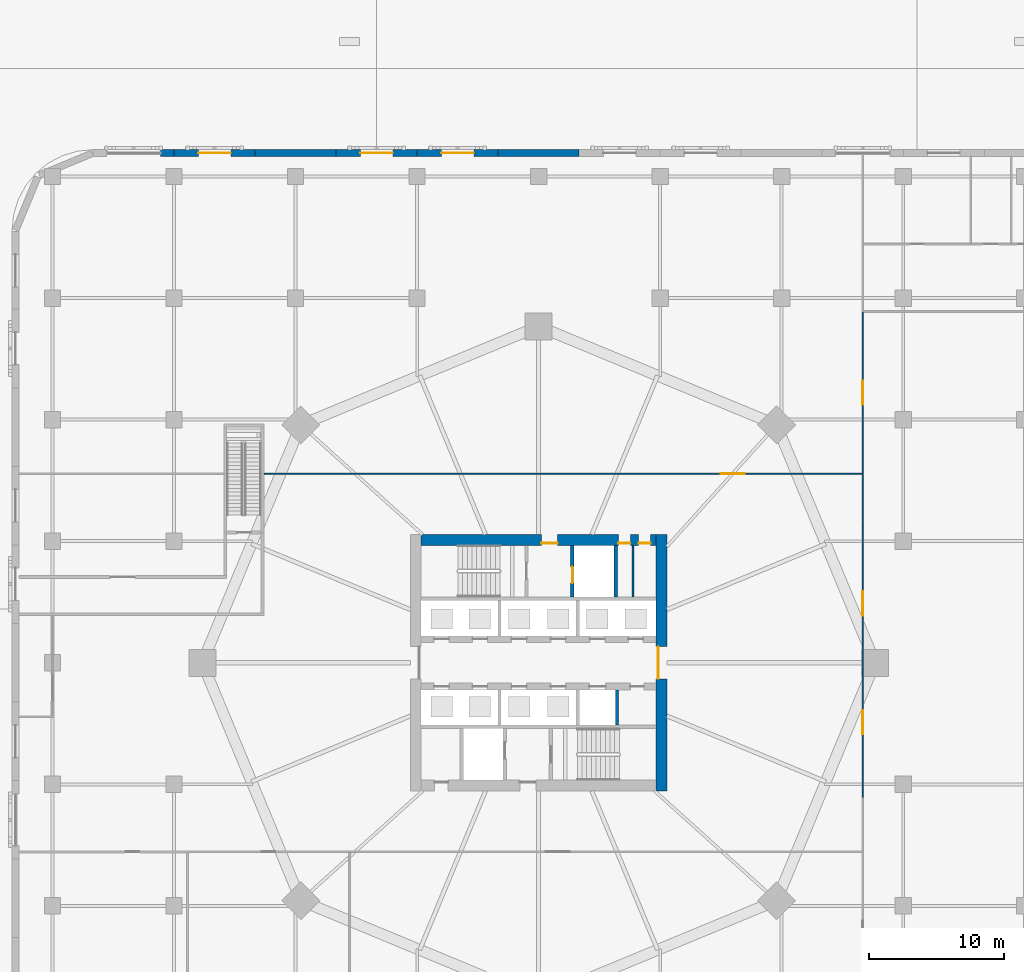
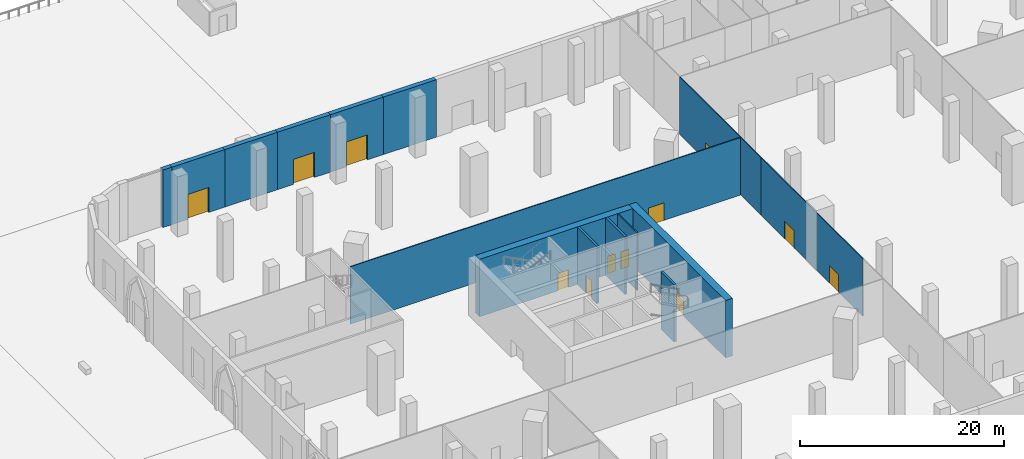
# One storey, part 25 of 48: 16 walls, 12 doors, 12 openings.
"""IFC4 building model written with IfcOpenShell, lengths in metres."""

from ifc_helpers import new_model, si_unit, direction, frame, frame_2d, origin, place, context, subcontext, project, spatial, rectangle, extrude, material, layer, layer_set, type_object, element, fill, save


model = new_model("IFC4")

# Units and contexts
model_context = context("Model", 3, precision=1e-05, world=origin(), true_north=direction((0.0, 1.0)))
body_context = subcontext(model_context, "Body", "Model", "MODEL_VIEW")
ifc_project = project(units=[si_unit("LENGTHUNIT", "METRE"), si_unit("AREAUNIT", "SQUARE_METRE"), si_unit("VOLUMEUNIT", "CUBIC_METRE"), si_unit("PLANEANGLEUNIT", "RADIAN"), si_unit("MASSUNIT", "GRAM", prefix="KILO")], contexts=[model_context])

# Site, building, storey
site_placement = place(None, origin())
site = spatial("IfcSite", under=ifc_project, at=site_placement, CompositionType="ELEMENT")
building_placement = place(site_placement, origin())
building = spatial("IfcBuilding", under=site, at=building_placement, Name="Ogive Gate Towers", CompositionType="ELEMENT")
storey_placement = place(building_placement, origin())
storey = spatial("IfcBuildingStorey", under=building, at=storey_placement, Name="L00", CompositionType="ELEMENT", Elevation=0.0)

# Wall
ifc_material_1 = material(Name="Precast concrete C40/50", Category="concrete")
ifc_layer_1 = layer(ifc_material_1, 0.5)
ifc_layer_set_1 = layer_set([ifc_layer_1], Name="Arcade wall 500")
wall_type_1 = type_object("IfcWallType", Name="Arcade wall 500", PredefinedType="SOLIDWALL", material=ifc_layer_set_1)
wall_1_placement = place(storey_placement, frame((-33.0, 37.75, 0.0), z_axis=(0.0, 0.0, 1.0), x_axis=(-1.0, 0.0, 0.0)))
element("IfcWall", 1, at=wall_1_placement, inside=storey, type_object=wall_type_1, Name="Podium wall", PredefinedType="SOLIDWALL", context=body_context, shape_type="SweptSolid", body=[
    extrude(rectangle(XDim=6.0, YDim=0.5, at=frame_2d((3.0, 0.0))), origin(), (0.0, 0.0, 1.0), 6.89990234375),
])

# Wall, opening, door
wall_2_placement = place(storey_placement, frame((-39.0, 37.75, 0.0), z_axis=(0.0, 0.0, 1.0), x_axis=(-1.0, 0.0, 0.0)))
wall_2 = element("IfcWall", 2, at=wall_2_placement, inside=storey, type_object=wall_type_1, Name="Podium wall", PredefinedType="SOLIDWALL", context=body_context, shape_type="SweptSolid", body=[
    extrude(rectangle(XDim=6.0, YDim=0.5, at=frame_2d((3.0, 0.0))), origin(), (0.0, 0.0, 1.0), 6.89990234375),
])
opening_1_placement = place(wall_2_placement, frame((1.800048828125, 0.0, 0.0)))
opening_1 = element("IfcOpeningElement", 3, at=opening_1_placement, cuts=wall_2, Name="Opening ED2-L00-09", PredefinedType="OPENING", context=body_context, shape_type="SweptSolid", body=[
    extrude(rectangle(XDim=2.39990234375, YDim=3.0, at=frame_2d((1.199951171875, 1.5))), frame((0.0, 0.260009765625, 0.0), z_axis=(0.0, -1.0, 0.0), x_axis=(1.0, 0.0, 0.0)), (0.0, 0.0, 1.0), 0.52001953125),
])
ifc_material_2 = material(Name="Pale metal aluminium", Category="aluminium")
door_type_1 = type_object("IfcDoorType", Name="Entrance door 2400 x 3000", OperationType="DOUBLE_DOOR_SINGLE_SWING", PredefinedType="DOOR", material=ifc_material_2)
door_1_placement = place(opening_1_placement, origin())
door_1 = element("IfcDoor", 4, at=door_1_placement, inside=storey, type_object=door_type_1, Name="Exterior door", OperationType="SINGLE_SWING_LEFT", OverallHeight=3.0, OverallWidth=2.39990234375, PredefinedType="DOOR", context=body_context, shape_type="SweptSolid", body=[
    extrude(rectangle(XDim=2.39990234375, YDim=3.0, at=frame_2d((1.199951171875, 1.5))), frame((0.0, 0.02490234375, 0.0), z_axis=(0.0, -1.0, 0.0), x_axis=(1.0, 0.0, 0.0)), (0.0, 0.0, 1.0), 0.050048828125),
])
fill(opening_1, door_1)

wall_3_placement = place(storey_placement, frame((-45.0, 37.75, 0.0), z_axis=(0.0, 0.0, 1.0), x_axis=(-1.0, 0.0, 0.0)))
wall_3 = element("IfcWall", 5, at=wall_3_placement, inside=storey, type_object=wall_type_1, Name="Podium wall", PredefinedType="SOLIDWALL", context=body_context, shape_type="SweptSolid", body=[
    extrude(rectangle(XDim=6.0, YDim=0.5, at=frame_2d((3.0, 0.0))), origin(), (0.0, 0.0, 1.0), 6.89990234375),
])
opening_2_placement = place(wall_3_placement, frame((1.800048828125, 0.0, 0.0)))
opening_2 = element("IfcOpeningElement", 6, at=opening_2_placement, cuts=wall_3, Name="Opening ED2-L00-10", PredefinedType="OPENING", context=body_context, shape_type="SweptSolid", body=[
    extrude(rectangle(XDim=2.39990234375, YDim=3.0, at=frame_2d((1.199951171875, 1.5))), frame((0.0, 0.260009765625, 0.0), z_axis=(0.0, -1.0, 0.0), x_axis=(1.0, 0.0, 0.0)), (0.0, 0.0, 1.0), 0.52001953125),
])
door_2_placement = place(opening_2_placement, origin())
door_2 = element("IfcDoor", 7, at=door_2_placement, inside=storey, type_object=door_type_1, Name="Exterior door", OperationType="SINGLE_SWING_LEFT", OverallHeight=3.0, OverallWidth=2.39990234375, PredefinedType="DOOR", context=body_context, shape_type="SweptSolid", body=[
    extrude(rectangle(XDim=2.39990234375, YDim=3.0, at=frame_2d((1.199951171875, 1.5))), frame((0.0, 0.02490234375, 0.0), z_axis=(0.0, -1.0, 0.0), x_axis=(1.0, 0.0, 0.0)), (0.0, 0.0, 1.0), 0.050048828125),
])
fill(opening_2, door_2)

# Wall
wall_4_placement = place(storey_placement, frame((-51.0, 37.75, 0.0), z_axis=(0.0, 0.0, 1.0), x_axis=(-1.0, 0.0, 0.0)))
element("IfcWall", 8, at=wall_4_placement, inside=storey, type_object=wall_type_1, Name="Podium wall", PredefinedType="SOLIDWALL", context=body_context, shape_type="SweptSolid", body=[
    extrude(rectangle(XDim=6.0, YDim=0.5, at=frame_2d((3.0, 0.0))), origin(), (0.0, 0.0, 1.0), 6.89990234375),
])

# Wall, opening, door
wall_5_placement = place(storey_placement, frame((-57.0, 37.75, 0.0), z_axis=(0.0, 0.0, 1.0), x_axis=(-1.0, 0.0, 0.0)))
wall_5 = element("IfcWall", 9, at=wall_5_placement, inside=storey, type_object=wall_type_1, Name="Podium wall", PredefinedType="SOLIDWALL", context=body_context, shape_type="SweptSolid", body=[
    extrude(rectangle(XDim=6.0, YDim=0.5, at=frame_2d((3.0, 0.0))), origin(), (0.0, 0.0, 1.0), 6.89990234375),
])
opening_3_placement = place(wall_5_placement, frame((1.800048828125, 0.0, 0.0)))
opening_3 = element("IfcOpeningElement", 10, at=opening_3_placement, cuts=wall_5, Name="Opening ED2-L00-11", PredefinedType="OPENING", context=body_context, shape_type="SweptSolid", body=[
    extrude(rectangle(XDim=2.39990234375, YDim=3.0, at=frame_2d((1.199951171875, 1.5))), frame((0.0, 0.260009765625, 0.0), z_axis=(0.0, -1.0, 0.0), x_axis=(1.0, 0.0, 0.0)), (0.0, 0.0, 1.0), 0.52001953125),
])
door_3_placement = place(opening_3_placement, origin())
door_3 = element("IfcDoor", 11, at=door_3_placement, inside=storey, type_object=door_type_1, Name="Exterior door", OperationType="SINGLE_SWING_LEFT", OverallHeight=3.0, OverallWidth=2.39990234375, PredefinedType="DOOR", context=body_context, shape_type="SweptSolid", body=[
    extrude(rectangle(XDim=2.39990234375, YDim=3.0, at=frame_2d((1.199951171875, 1.5))), frame((0.0, 0.02490234375, 0.0), z_axis=(0.0, -1.0, 0.0), x_axis=(1.0, 0.0, 0.0)), (0.0, 0.0, 1.0), 0.050048828125),
])
fill(opening_3, door_3)

# Wall
wall_6_placement = place(storey_placement, frame((-63.0, 37.75, 0.0), z_axis=(0.0, 0.0, 1.0), x_axis=(-1.0, 0.0, 0.0)))
element("IfcWall", 12, at=wall_6_placement, inside=storey, type_object=wall_type_1, Name="Podium wall", PredefinedType="SOLIDWALL", context=body_context, shape_type="SweptSolid", body=[
    extrude(rectangle(XDim=1.0, YDim=0.5, at=frame_2d((0.5, 0.0))), origin(), (0.0, 0.0, 1.0), 6.89990234375),
])

# Wall, openings, doors
ifc_material_3 = material(Name="Concrete C60/75", Category="concrete")
ifc_layer_2 = layer(ifc_material_3, 0.800048828125)
ifc_layer_set_2 = layer_set([ifc_layer_2], Name="Core wall 800 mm")
wall_type_2 = type_object("IfcWallType", Name="Core wall 800 mm", PredefinedType="SHEAR", material=ifc_layer_set_2)
wall_7_placement = place(storey_placement, frame((-44.699951171875, 9.10009765625, 0.0), z_axis=(0.0, 0.0, 1.0), x_axis=(1.0, 0.0, 0.0)))
wall_7 = element("IfcWall", 13, at=wall_7_placement, inside=storey, type_object=wall_type_2, Name="T1 L00 Core wall 800 mm", PredefinedType="SHEAR", context=body_context, shape_type="SweptSolid", body=[
    extrude(rectangle(XDim=17.39990234375, YDim=0.800048828125, at=frame_2d((8.699951171875, 0.0))), origin(), (0.0, 0.0, 1.0), 6.89990234375),
])
opening_4_placement = place(wall_7_placement, frame((8.89990234375, 0.0, 0.0)))
opening_4 = element("IfcOpeningElement", 14, at=opening_4_placement, cuts=wall_7, Name="Opening KD-T1-L00-19", PredefinedType="OPENING", context=body_context, shape_type="SweptSolid", body=[
    extrude(rectangle(XDim=1.199951171875, YDim=2.10009765625, at=frame_2d((0.60009765625, 1.050048828125))), frame((0.0, 0.41015625, 0.0), z_axis=(0.0, -1.0, 0.0), x_axis=(1.0, 0.0, 0.0)), (0.0, 0.0, 1.0), 0.820068359375),
])
opening_5_placement = place(wall_7_placement, frame((14.60009765625, 0.0, 0.0)))
opening_5 = element("IfcOpeningElement", 15, at=opening_5_placement, cuts=wall_7, Name="Opening KD-T1-L00-21", PredefinedType="OPENING", context=body_context, shape_type="SweptSolid", body=[
    extrude(rectangle(XDim=0.89990234375, YDim=2.10009765625, at=frame_2d((0.449951171875, 1.050048828125))), frame((0.0, 0.41015625, 0.0), z_axis=(0.0, -1.0, 0.0), x_axis=(1.0, 0.0, 0.0)), (0.0, 0.0, 1.0), 0.820068359375),
])
opening_6_placement = place(wall_7_placement, frame((16.10009765625, 0.0, 0.0)))
opening_6 = element("IfcOpeningElement", 16, at=opening_6_placement, cuts=wall_7, Name="Opening KD-T1-L00-22", PredefinedType="OPENING", context=body_context, shape_type="SweptSolid", body=[
    extrude(rectangle(XDim=0.89990234375, YDim=2.10009765625, at=frame_2d((0.449951171875, 1.050048828125))), frame((0.0, 0.41015625, 0.0), z_axis=(0.0, -1.0, 0.0), x_axis=(1.0, 0.0, 0.0)), (0.0, 0.0, 1.0), 0.820068359375),
])
ifc_material_4 = material(Name="Timber door", Category="wood")
door_type_2 = type_object("IfcDoorType", Name="Core WC door 900 x 2100", OperationType="NOTDEFINED", PredefinedType="DOOR", material=ifc_material_4)
door_4_placement = place(opening_5_placement, origin())
door_4 = element("IfcDoor", 17, at=door_4_placement, inside=storey, type_object=door_type_2, Name="T1 L00 Core door", OperationType="SINGLE_SWING_RIGHT", OverallHeight=2.10009765625, OverallWidth=0.89990234375, PredefinedType="DOOR", context=body_context, shape_type="SweptSolid", body=[
    extrude(rectangle(XDim=0.89990234375, YDim=2.10009765625, at=frame_2d((0.449951171875, 1.050048828125))), frame((0.0, -0.22509765625, 0.0), z_axis=(0.0, -1.0, 0.0), x_axis=(1.0, 0.0, 0.0)), (0.0, 0.0, 1.0), 0.050048828125),
])
fill(opening_5, door_4)
door_5_placement = place(opening_6_placement, origin())
door_5 = element("IfcDoor", 18, at=door_5_placement, inside=storey, type_object=door_type_2, Name="T1 L00 Core door", OperationType="SINGLE_SWING_LEFT", OverallHeight=2.10009765625, OverallWidth=0.89990234375, PredefinedType="DOOR", context=body_context, shape_type="SweptSolid", body=[
    extrude(rectangle(XDim=0.89990234375, YDim=2.10009765625, at=frame_2d((0.449951171875, 1.050048828125))), frame((0.0, -0.22509765625, 0.0), z_axis=(0.0, -1.0, 0.0), x_axis=(1.0, 0.0, 0.0)), (0.0, 0.0, 1.0), 0.050048828125),
])
fill(opening_6, door_5)
ifc_material_5 = material(Name="Steel fire door", Category="steel")
door_type_3 = type_object("IfcDoorType", Name="Core door FD60S 1200 x 2100", OperationType="NOTDEFINED", PredefinedType="DOOR", material=ifc_material_5)
door_6_placement = place(opening_4_placement, origin())
door_6 = element("IfcDoor", 19, at=door_6_placement, inside=storey, type_object=door_type_3, Name="T1 L00 Fire-fighting lobby door", OperationType="SINGLE_SWING_RIGHT", OverallHeight=2.10009765625, OverallWidth=1.199951171875, PredefinedType="DOOR", context=body_context, shape_type="SweptSolid", body=[
    extrude(rectangle(XDim=1.199951171875, YDim=2.10009765625, at=frame_2d((0.60009765625, 1.050048828125))), frame((0.0, -0.22509765625, 0.0), z_axis=(0.0, -1.0, 0.0), x_axis=(1.0, 0.0, 0.0)), (0.0, 0.0, 1.0), 0.050048828125),
])
fill(opening_4, door_6)

# Wall, opening, door
wall_8_placement = place(storey_placement, frame((-26.89990234375, -9.5, 0.0), z_axis=(0.0, 0.0, 1.0), x_axis=(0.0, 1.0, 0.0)))
wall_8 = element("IfcWall", 20, at=wall_8_placement, inside=storey, type_object=wall_type_2, Name="T1 L00 Core wall 800 mm", PredefinedType="SHEAR", context=body_context, shape_type="SweptSolid", body=[
    extrude(rectangle(XDim=19.0, YDim=0.800048828125, at=frame_2d((9.5, 0.0))), origin(), (0.0, 0.0, 1.0), 6.89990234375),
])
opening_7_placement = place(wall_8_placement, frame((8.300048828125, 0.0, 0.0)))
opening_7 = element("IfcOpeningElement", 21, at=opening_7_placement, cuts=wall_8, Name="Opening KD-T1-L00-02", PredefinedType="OPENING", context=body_context, shape_type="SweptSolid", body=[
    extrude(rectangle(XDim=2.39990234375, YDim=2.10009765625, at=frame_2d((1.199951171875, 1.050048828125))), frame((0.0, 0.41015625, 0.0), z_axis=(0.0, -1.0, 0.0), x_axis=(1.0, 0.0, 0.0)), (0.0, 0.0, 1.0), 0.820068359375),
])
door_type_4 = type_object("IfcDoorType", Name="Core double door FD60S 2400 x 2100", OperationType="DOUBLE_DOOR_SINGLE_SWING", PredefinedType="DOOR", material=ifc_material_5)
door_7_placement = place(opening_7_placement, origin())
door_7 = element("IfcDoor", 22, at=door_7_placement, inside=storey, type_object=door_type_4, Name="T1 L00 Core door double", OperationType="DOUBLE_DOOR_SINGLE_SWING", OverallHeight=2.10009765625, OverallWidth=2.39990234375, PredefinedType="DOOR", context=body_context, shape_type="SweptSolid", body=[
    extrude(rectangle(XDim=2.39990234375, YDim=2.10009765625, at=frame_2d((1.199951171875, 1.050048828125))), frame((0.0, 0.27490234375, 0.0), z_axis=(0.0, -1.0, 0.0), x_axis=(1.0, 0.0, 0.0)), (0.0, 0.0, 1.0), 0.050048828125),
])
fill(opening_7, door_7)

# Wall
ifc_material_6 = material(Name="Gypsum board partition")
ifc_layer_3 = layer(ifc_material_6, 0.10009765625)
ifc_layer_set_3 = layer_set([ifc_layer_3], Name="Partition wall 100")
wall_type_3 = type_object("IfcWallType", Name="Partition wall 100", PredefinedType="PARTITIONING", material=ifc_layer_set_3)
wall_9_placement = place(storey_placement, frame((-12.0, 10.0, 0.0), z_axis=(0.0, 0.0, 1.0), x_axis=(0.0, 1.0, 0.0)))
element("IfcWall", 23, at=wall_9_placement, inside=storey, type_object=wall_type_3, Name="L00 partition 023", PredefinedType="PARTITIONING", context=body_context, shape_type="SweptSolid", body=[
    extrude(rectangle(XDim=4.0, YDim=0.10009765625, at=frame_2d((2.0, 0.0))), origin(), (0.0, 0.0, 1.0), 6.89990234375),
])

# Wall, opening, door
wall_10_placement = place(storey_placement, frame((-12.0, 14.0, 0.0), z_axis=(0.0, 0.0, 1.0), x_axis=(0.0, 1.0, 0.0)))
wall_10 = element("IfcWall", 24, at=wall_10_placement, inside=storey, type_object=wall_type_3, Name="L00 partition 024", PredefinedType="PARTITIONING", context=body_context, shape_type="SweptSolid", body=[
    extrude(rectangle(XDim=12.0, YDim=0.10009765625, at=frame_2d((6.0, 0.0))), origin(), (0.0, 0.0, 1.0), 6.89990234375),
])
opening_8_placement = place(wall_10_placement, frame((5.10009765625, 0.0, 0.0)))
opening_8 = element("IfcOpeningElement", 25, at=opening_8_placement, cuts=wall_10, Name="Opening PO111", PredefinedType="OPENING", context=body_context, shape_type="SweptSolid", body=[
    extrude(rectangle(XDim=1.800048828125, YDim=2.10009765625, at=frame_2d((0.89990234375, 1.050048828125))), frame((0.0, 0.06005859375, 0.0), z_axis=(0.0, -1.0, 0.0), x_axis=(1.0, 0.0, 0.0)), (0.0, 0.0, 1.0), 0.1201171875),
])
door_type_5 = type_object("IfcDoorType", Name="Double door 1800 x 2100", OperationType="NOTDEFINED", PredefinedType="DOOR", material=ifc_material_4)
door_8_placement = place(opening_8_placement, origin())
door_8 = element("IfcDoor", 26, at=door_8_placement, inside=storey, type_object=door_type_5, Name="Door PO111", OperationType="DOUBLE_DOOR_DOUBLE_SWING", OverallHeight=2.10009765625, OverallWidth=1.800048828125, PredefinedType="DOOR", context=body_context, shape_type="SweptSolid", body=[
    extrude(rectangle(XDim=1.800048828125, YDim=2.10009765625, at=frame_2d((0.89990234375, 1.050048828125))), frame((0.0, 0.02490234375, 0.0), z_axis=(0.0, -1.0, 0.0), x_axis=(1.0, 0.0, 0.0)), (0.0, 0.0, 1.0), 0.050048828125),
])
fill(opening_8, door_8)

# Wall, openings, doors
wall_11_placement = place(storey_placement, frame((-12.0, -10.0, 0.0), z_axis=(0.0, 0.0, 1.0), x_axis=(0.0, 1.0, 0.0)))
wall_11 = element("IfcWall", 27, at=wall_11_placement, inside=storey, type_object=wall_type_3, Name="L00 partition 034", PredefinedType="PARTITIONING", context=body_context, shape_type="SweptSolid", body=[
    extrude(rectangle(XDim=20.0, YDim=0.10009765625, at=frame_2d((10.0, 0.0))), origin(), (0.0, 0.0, 1.0), 6.89990234375),
])
opening_9_placement = place(wall_11_placement, frame((4.699951171875, 0.0, 0.0)))
opening_9 = element("IfcOpeningElement", 28, at=opening_9_placement, cuts=wall_11, Name="Opening PO109", PredefinedType="OPENING", context=body_context, shape_type="SweptSolid", body=[
    extrude(rectangle(XDim=1.800048828125, YDim=2.10009765625, at=frame_2d((0.89990234375, 1.050048828125))), frame((0.0, 0.06005859375, 0.0), z_axis=(0.0, -1.0, 0.0), x_axis=(1.0, 0.0, 0.0)), (0.0, 0.0, 1.0), 0.1201171875),
])
opening_10_placement = place(wall_11_placement, frame((13.5, 0.0, 0.0)))
opening_10 = element("IfcOpeningElement", 29, at=opening_10_placement, cuts=wall_11, Name="Opening PO110", PredefinedType="OPENING", context=body_context, shape_type="SweptSolid", body=[
    extrude(rectangle(XDim=1.800048828125, YDim=2.10009765625, at=frame_2d((0.89990234375, 1.050048828125))), frame((0.0, 0.06005859375, 0.0), z_axis=(0.0, -1.0, 0.0), x_axis=(1.0, 0.0, 0.0)), (0.0, 0.0, 1.0), 0.1201171875),
])
door_9_placement = place(opening_9_placement, origin())
door_9 = element("IfcDoor", 30, at=door_9_placement, inside=storey, type_object=door_type_5, Name="Door PO109", OperationType="DOUBLE_DOOR_DOUBLE_SWING", OverallHeight=2.10009765625, OverallWidth=1.800048828125, PredefinedType="DOOR", context=body_context, shape_type="SweptSolid", body=[
    extrude(rectangle(XDim=1.800048828125, YDim=2.10009765625, at=frame_2d((0.89990234375, 1.050048828125))), frame((0.0, 0.02490234375, 0.0), z_axis=(0.0, -1.0, 0.0), x_axis=(1.0, 0.0, 0.0)), (0.0, 0.0, 1.0), 0.050048828125),
])
fill(opening_9, door_9)
door_10_placement = place(opening_10_placement, origin())
door_10 = element("IfcDoor", 31, at=door_10_placement, inside=storey, type_object=door_type_5, Name="Door PO110", OperationType="DOUBLE_DOOR_DOUBLE_SWING", OverallHeight=2.10009765625, OverallWidth=1.800048828125, PredefinedType="DOOR", context=body_context, shape_type="SweptSolid", body=[
    extrude(rectangle(XDim=1.800048828125, YDim=2.10009765625, at=frame_2d((0.89990234375, 1.050048828125))), frame((0.0, 0.02490234375, 0.0), z_axis=(0.0, -1.0, 0.0), x_axis=(1.0, 0.0, 0.0)), (0.0, 0.0, 1.0), 0.050048828125),
])
fill(opening_10, door_10)

# Wall, opening, door
wall_12_placement = place(storey_placement, frame((-56.35009765625, 14.0, 0.0), z_axis=(0.0, 0.0, 1.0), x_axis=(1.0, 0.0, 0.0)))
wall_12 = element("IfcWall", 32, at=wall_12_placement, inside=storey, type_object=wall_type_3, Name="L00 partition 047", PredefinedType="PARTITIONING", context=body_context, shape_type="SweptSolid", body=[
    extrude(rectangle(XDim=44.300048828125, YDim=0.10009765625, at=frame_2d((22.14990234375, 0.0))), origin(), (0.0, 0.0, 1.0), 6.89990234375),
])
opening_11_placement = place(wall_12_placement, frame((33.820068359375, 0.0, 0.0)))
opening_11 = element("IfcOpeningElement", 33, at=opening_11_placement, cuts=wall_12, Name="Opening PO112", PredefinedType="OPENING", context=body_context, shape_type="SweptSolid", body=[
    extrude(rectangle(XDim=1.800048828125, YDim=2.10009765625, at=frame_2d((0.89990234375, 1.050048828125))), frame((0.0, 0.06005859375, 0.0), z_axis=(0.0, -1.0, 0.0), x_axis=(1.0, 0.0, 0.0)), (0.0, 0.0, 1.0), 0.1201171875),
])
door_11_placement = place(opening_11_placement, origin())
door_11 = element("IfcDoor", 34, at=door_11_placement, inside=storey, type_object=door_type_5, Name="Door PO112", OperationType="DOUBLE_DOOR_DOUBLE_SWING", OverallHeight=2.10009765625, OverallWidth=1.800048828125, PredefinedType="DOOR", context=body_context, shape_type="SweptSolid", body=[
    extrude(rectangle(XDim=1.800048828125, YDim=2.10009765625, at=frame_2d((0.89990234375, 1.050048828125))), frame((0.0, 0.02490234375, 0.0), z_axis=(0.0, -1.0, 0.0), x_axis=(1.0, 0.0, 0.0)), (0.0, 0.0, 1.0), 0.050048828125),
])
fill(opening_11, door_11)

# Wall
ifc_layer_4 = layer(ifc_material_6, 0.14990234375)
ifc_layer_set_4 = layer_set([ifc_layer_4], Name="Room partition 150 mm")
wall_type_4 = type_object("IfcWallType", Name="Room partition 150 mm", PredefinedType="PARTITIONING", material=ifc_layer_set_4)
wall_13_placement = place(storey_placement, frame((-29.0, 4.875, 0.0), z_axis=(0.0, 0.0, 1.0), x_axis=(0.0, 1.0, 0.0)))
element("IfcWall", 35, at=wall_13_placement, inside=storey, type_object=wall_type_4, Name="T1 L00 Room partition 150 mm", PredefinedType="PARTITIONING", context=body_context, shape_type="SweptSolid", body=[
    extrude(rectangle(XDim=3.824951171875, YDim=0.14990234375, at=frame_2d((1.91259765625, 0.0))), origin(), (0.0, 0.0, 1.0), 6.89990234375),
])

# Wall, opening, door
ifc_layer_5 = layer(ifc_material_3, 0.25)
ifc_layer_set_5 = layer_set([ifc_layer_5], Name="Shaft wall 250 mm")
wall_type_5 = type_object("IfcWallType", Name="Shaft wall 250 mm", PredefinedType="SHEAR", material=ifc_layer_set_5)
wall_14_placement = place(storey_placement, frame((-33.5, 4.875, 0.0), z_axis=(0.0, 0.0, 1.0), x_axis=(0.0, 1.0, 0.0)))
wall_14 = element("IfcWall", 36, at=wall_14_placement, inside=storey, type_object=wall_type_5, Name="T1 L00 Shaft wall 250 mm", PredefinedType="SHEAR", context=body_context, shape_type="SweptSolid", body=[
    extrude(rectangle(XDim=3.824951171875, YDim=0.25, at=frame_2d((1.91259765625, 0.0))), origin(), (0.0, 0.0, 1.0), 6.89990234375),
])
opening_12_placement = place(wall_14_placement, frame((1.02490234375, 0.0, 0.0)))
opening_12 = element("IfcOpeningElement", 37, at=opening_12_placement, cuts=wall_14, Name="Opening LD-T1-L00-14", PredefinedType="OPENING", context=body_context, shape_type="SweptSolid", body=[
    extrude(rectangle(XDim=1.199951171875, YDim=2.10009765625, at=frame_2d((0.60009765625, 1.050048828125))), frame((0.0, 0.135009765625, 0.0), z_axis=(0.0, -1.0, 0.0), x_axis=(1.0, 0.0, 0.0)), (0.0, 0.0, 1.0), 0.27001953125),
])
ifc_material_7 = material(Name="Stainless steel landing door", Category="steel")
door_type_6 = type_object("IfcDoorType", Name="Landing door 1200 x 2100", OperationType="SLIDING_TO_LEFT", PredefinedType="DOOR", material=ifc_material_7)
door_12_placement = place(opening_12_placement, origin())
door_12 = element("IfcDoor", 38, at=door_12_placement, inside=storey, type_object=door_type_6, Name="T1 L00 Lift landing door FF1", OperationType="SLIDING_TO_LEFT", OverallHeight=2.10009765625, OverallWidth=1.199951171875, PredefinedType="DOOR", context=body_context, shape_type="SweptSolid", body=[
    extrude(rectangle(XDim=1.199951171875, YDim=2.10009765625, at=frame_2d((0.60009765625, 1.050048828125))), frame((0.0, 0.02490234375, 0.0), z_axis=(0.0, -1.0, 0.0), x_axis=(1.0, 0.0, 0.0)), (0.0, 0.0, 1.0), 0.050048828125),
])
fill(opening_12, door_12)

# Walls
wall_15_placement = place(storey_placement, frame((-30.300048828125, 4.875, 0.0), z_axis=(0.0, 0.0, 1.0), x_axis=(0.0, 1.0, 0.0)))
element("IfcWall", 39, at=wall_15_placement, inside=storey, type_object=wall_type_5, Name="T1 L00 Shaft wall 250 mm", PredefinedType="SHEAR", context=body_context, shape_type="SweptSolid", body=[
    extrude(rectangle(XDim=3.824951171875, YDim=0.25, at=frame_2d((1.91259765625, 0.0))), origin(), (0.0, 0.0, 1.0), 6.89990234375),
])
wall_16_placement = place(storey_placement, frame((-30.199951171875, -4.625, 0.0), z_axis=(0.0, 0.0, 1.0), x_axis=(0.0, 1.0, 0.0)))
element("IfcWall", 40, at=wall_16_placement, inside=storey, type_object=wall_type_5, Name="T1 L00 Shaft wall 250 mm", PredefinedType="SHEAR", context=body_context, shape_type="SweptSolid", body=[
    extrude(rectangle(XDim=2.625, YDim=0.25, at=frame_2d((1.3125, 0.0))), origin(), (0.0, 0.0, 1.0), 6.89990234375),
])

save(model, "model.ifc")
